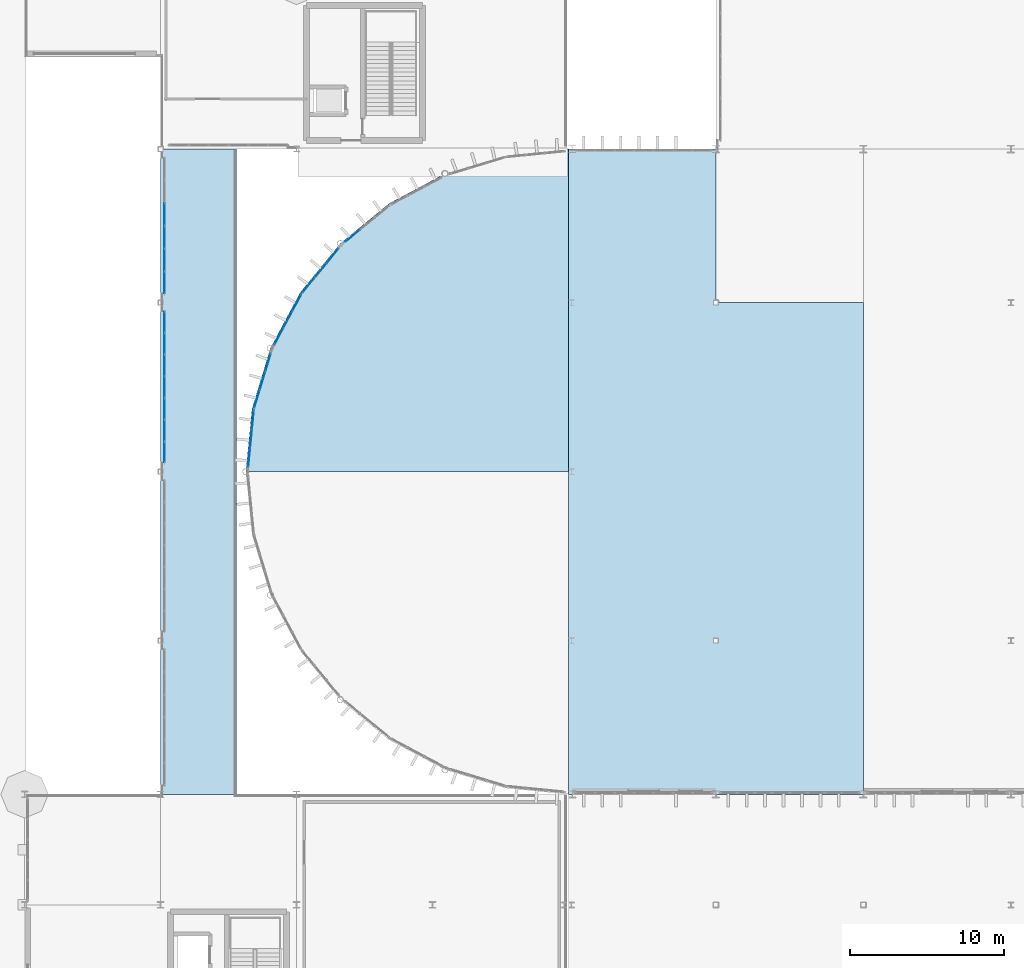
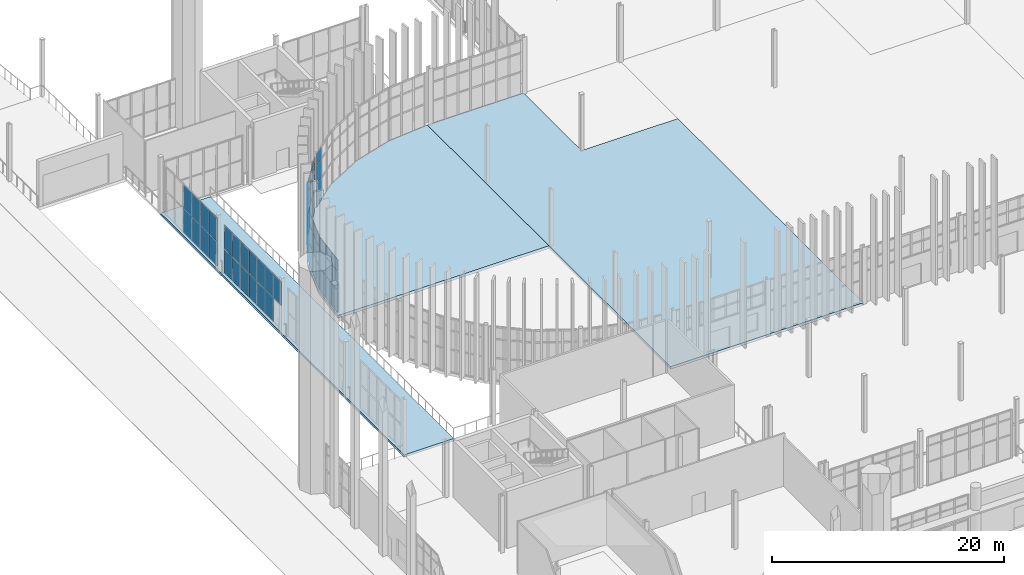
# One storey, part 76 of 139: 60 plates, 3 slabs, 7 elements without a shape of their own.
"""IFC4 building model written with IfcOpenShell, lengths in metres."""

from ifc_helpers import new_model, si_unit, direction, frame, origin, origin_2d, place, context, subcontext, project, spatial, polyline, rectangle, outline, extrude, material, layer, layer_set, type_object, element, aggregate, save


model = new_model("IFC4")

# Units and contexts
model_context = context("Model", 3, precision=1e-05, world=origin(), true_north=direction((0.0, 1.0)))
body_context = subcontext(model_context, "Body", "Model", "MODEL_VIEW")
ifc_project = project(units=[si_unit("LENGTHUNIT", "METRE"), si_unit("AREAUNIT", "SQUARE_METRE"), si_unit("VOLUMEUNIT", "CUBIC_METRE"), si_unit("PLANEANGLEUNIT", "RADIAN"), si_unit("MASSUNIT", "GRAM", prefix="KILO")], contexts=[model_context])

# Site, building, storey
site_placement = place(None, origin())
site = spatial("IfcSite", under=ifc_project, at=site_placement, CompositionType="ELEMENT")
building_placement = place(site_placement, origin())
building = spatial("IfcBuilding", under=site, at=building_placement, Name="Yeouljin Market Hall", CompositionType="ELEMENT")
storey_placement = place(building_placement, origin())
storey = spatial("IfcBuildingStorey", under=building, at=storey_placement, Name="L00", CompositionType="ELEMENT", Elevation=0.0)

# Curtain wall, plates
ifc_material_1 = material(Name="Thermally Broken Aluminium", Category="aluminium")
ifc_layer_1 = layer(ifc_material_1, 0.179931640625)
ifc_layer_set_1 = layer_set([ifc_layer_1], Name="Thermally Broken Aluminium")
curtain_wall_type_1 = type_object("IfcCurtainWallType", Name="CW_ApseCurved_System", PredefinedType="USERDEFINED", material=ifc_layer_set_1)
curtain_wall_1_placement = place(storey_placement, origin())
curtain_wall_1 = element("IfcCurtainWall", 1, at=curtain_wall_1_placement, inside=storey, type_object=curtain_wall_type_1, Name="Curtain wall CW-AP-WL00-09", ObjectType="CURTAIN WALL", PredefinedType="USERDEFINED")
ifc_material_2 = material(Name="Low-E Insulated Glass", Category="glass")
ifc_layer_2 = layer(ifc_material_2, 0.031982421875)
ifc_layer_set_2 = layer_set([ifc_layer_2], Name="Low-E Insulated Glass")
plate_type_1 = type_object("IfcPlateType", Name="CWPanel_AcousticGlass_32", PredefinedType="CURTAIN_PANEL", material=ifc_layer_set_2)
plate_1_placement = place(storey_placement, frame((14.610107421875, 57.91650390625, 0.0478515625), z_axis=(0.0, 0.0, 1.0), x_axis=(0.09803414403, 0.995183051807, 0.0)))
plate_1 = element("IfcPlate", 2, at=plate_1_placement, type_object=plate_type_1, Name="CW-03 panel 1.1", PredefinedType="CURTAIN_PANEL", context=body_context, shape_type="SweptSolid", body=[
    extrude(rectangle(XDim=1.185791015625, YDim=0.031982421875, at=origin_2d()), origin(), (0.0, 0.0, 1.0), 2.327880859375),
])
plate_2_placement = place(storey_placement, frame((14.610107421875, 57.91650390625, 2.423828125), z_axis=(0.0, 0.0, 1.0), x_axis=(0.09803414403, 0.995183051807, 0.0)))
plate_2 = element("IfcPlate", 3, at=plate_2_placement, type_object=plate_type_1, Name="CW-03 panel 1.2", PredefinedType="CURTAIN_PANEL", context=body_context, shape_type="SweptSolid", body=[
    extrude(rectangle(XDim=1.185791015625, YDim=0.031982421875, at=origin_2d()), origin(), (0.0, 0.0, 1.0), 1.951904296875),
])
plate_3_placement = place(storey_placement, frame((14.610107421875, 57.91650390625, 4.424072265625), z_axis=(0.0, 0.0, 1.0), x_axis=(0.09803414403, 0.995183051807, 0.0)))
plate_3 = element("IfcPlate", 4, at=plate_3_placement, type_object=plate_type_1, Name="CW-03 panel 1.3", PredefinedType="CURTAIN_PANEL", context=body_context, shape_type="SweptSolid", body=[
    extrude(rectangle(XDim=1.185791015625, YDim=0.031982421875, at=origin_2d()), origin(), (0.0, 0.0, 1.0), 1.2080078125),
])
plate_4_placement = place(storey_placement, frame((14.732421875, 59.15625, 0.0478515625), z_axis=(0.0, 0.0, 1.0), x_axis=(0.09803414403, 0.995183051807, 0.0)))
plate_4 = element("IfcPlate", 5, at=plate_4_placement, type_object=plate_type_1, Name="CW-03 panel 2.1", PredefinedType="CURTAIN_PANEL", context=body_context, shape_type="SweptSolid", body=[
    extrude(rectangle(XDim=1.209716796875, YDim=0.031982421875, at=origin_2d()), origin(), (0.0, 0.0, 1.0), 2.327880859375),
])
plate_5_placement = place(storey_placement, frame((14.732421875, 59.15625, 2.423828125), z_axis=(0.0, 0.0, 1.0), x_axis=(0.09803414403, 0.995183051807, 0.0)))
plate_5 = element("IfcPlate", 6, at=plate_5_placement, type_object=plate_type_1, Name="CW-03 panel 2.2", PredefinedType="CURTAIN_PANEL", context=body_context, shape_type="SweptSolid", body=[
    extrude(rectangle(XDim=1.209716796875, YDim=0.031982421875, at=origin_2d()), origin(), (0.0, 0.0, 1.0), 1.951904296875),
])
plate_6_placement = place(storey_placement, frame((14.732421875, 59.15625, 4.424072265625), z_axis=(0.0, 0.0, 1.0), x_axis=(0.09803414403, 0.995183051807, 0.0)))
plate_6 = element("IfcPlate", 7, at=plate_6_placement, type_object=plate_type_1, Name="CW-03 panel 2.3", PredefinedType="CURTAIN_PANEL", context=body_context, shape_type="SweptSolid", body=[
    extrude(rectangle(XDim=1.209716796875, YDim=0.031982421875, at=origin_2d()), origin(), (0.0, 0.0, 1.0), 1.2080078125),
])
plate_7_placement = place(storey_placement, frame((14.8544921875, 60.39599609375, 0.0478515625), z_axis=(0.0, 0.0, 1.0), x_axis=(0.09803414403, 0.995183051807, 0.0)))
plate_7 = element("IfcPlate", 8, at=plate_7_placement, type_object=plate_type_1, Name="CW-03 panel 3.1", PredefinedType="CURTAIN_PANEL", context=body_context, shape_type="SweptSolid", body=[
    extrude(rectangle(XDim=1.185791015625, YDim=0.031982421875, at=origin_2d()), origin(), (0.0, 0.0, 1.0), 2.327880859375),
])
plate_8_placement = place(storey_placement, frame((14.8544921875, 60.39599609375, 2.423828125), z_axis=(0.0, 0.0, 1.0), x_axis=(0.09803414403, 0.995183051807, 0.0)))
plate_8 = element("IfcPlate", 9, at=plate_8_placement, type_object=plate_type_1, Name="CW-03 panel 3.2", PredefinedType="CURTAIN_PANEL", context=body_context, shape_type="SweptSolid", body=[
    extrude(rectangle(XDim=1.185791015625, YDim=0.031982421875, at=origin_2d()), origin(), (0.0, 0.0, 1.0), 1.951904296875),
])
plate_9_placement = place(storey_placement, frame((14.8544921875, 60.39599609375, 4.424072265625), z_axis=(0.0, 0.0, 1.0), x_axis=(0.09803414403, 0.995183051807, 0.0)))
plate_9 = element("IfcPlate", 10, at=plate_9_placement, type_object=plate_type_1, Name="CW-03 panel 3.3", PredefinedType="CURTAIN_PANEL", context=body_context, shape_type="SweptSolid", body=[
    extrude(rectangle(XDim=1.185791015625, YDim=0.031982421875, at=origin_2d()), origin(), (0.0, 0.0, 1.0), 1.2080078125),
])
aggregate(curtain_wall_1, [plate_1, plate_2, plate_3, plate_4, plate_5, plate_6, plate_7, plate_8, plate_9])

curtain_wall_2_placement = place(storey_placement, origin())
curtain_wall_2 = element("IfcCurtainWall", 11, at=curtain_wall_2_placement, inside=storey, type_object=curtain_wall_type_1, Name="Curtain wall CW-AP-WL00-10", ObjectType="CURTAIN WALL", PredefinedType="USERDEFINED")
plate_10_placement = place(storey_placement, frame((15.118896484375, 61.72509765625, 0.0478515625), z_axis=(0.0, 0.0, 1.0), x_axis=(0.290286164863, 0.95693988447, 0.0)))
plate_10 = element("IfcPlate", 12, at=plate_10_placement, type_object=plate_type_1, Name="CW-03 panel 1.1", PredefinedType="CURTAIN_PANEL", context=body_context, shape_type="SweptSolid", body=[
    extrude(rectangle(XDim=1.185791015625, YDim=0.031982421875, at=origin_2d()), origin(), (0.0, 0.0, 1.0), 2.327880859375),
])
plate_11_placement = place(storey_placement, frame((15.118896484375, 61.72509765625, 2.423828125), z_axis=(0.0, 0.0, 1.0), x_axis=(0.290286164863, 0.95693988447, 0.0)))
plate_11 = element("IfcPlate", 13, at=plate_11_placement, type_object=plate_type_1, Name="CW-03 panel 1.2", PredefinedType="CURTAIN_PANEL", context=body_context, shape_type="SweptSolid", body=[
    extrude(rectangle(XDim=1.185791015625, YDim=0.031982421875, at=origin_2d()), origin(), (0.0, 0.0, 1.0), 1.951904296875),
])
plate_12_placement = place(storey_placement, frame((15.118896484375, 61.72509765625, 4.424072265625), z_axis=(0.0, 0.0, 1.0), x_axis=(0.290286164863, 0.95693988447, 0.0)))
plate_12 = element("IfcPlate", 14, at=plate_12_placement, type_object=plate_type_1, Name="CW-03 panel 1.3", PredefinedType="CURTAIN_PANEL", context=body_context, shape_type="SweptSolid", body=[
    extrude(rectangle(XDim=1.185791015625, YDim=0.031982421875, at=origin_2d()), origin(), (0.0, 0.0, 1.0), 1.2080078125),
])
plate_13_placement = place(storey_placement, frame((15.48046875, 62.917236328125, 0.0478515625), z_axis=(0.0, 0.0, 1.0), x_axis=(0.290286164863, 0.95693988447, 0.0)))
plate_13 = element("IfcPlate", 15, at=plate_13_placement, type_object=plate_type_1, Name="CW-03 panel 2.1", PredefinedType="CURTAIN_PANEL", context=body_context, shape_type="SweptSolid", body=[
    extrude(rectangle(XDim=1.209716796875, YDim=0.031982421875, at=origin_2d()), origin(), (0.0, 0.0, 1.0), 2.327880859375),
])
plate_14_placement = place(storey_placement, frame((15.48046875, 62.917236328125, 2.423828125), z_axis=(0.0, 0.0, 1.0), x_axis=(0.290286164863, 0.95693988447, 0.0)))
plate_14 = element("IfcPlate", 16, at=plate_14_placement, type_object=plate_type_1, Name="CW-03 panel 2.2", PredefinedType="CURTAIN_PANEL", context=body_context, shape_type="SweptSolid", body=[
    extrude(rectangle(XDim=1.209716796875, YDim=0.031982421875, at=origin_2d()), origin(), (0.0, 0.0, 1.0), 1.951904296875),
])
plate_15_placement = place(storey_placement, frame((15.48046875, 62.917236328125, 4.424072265625), z_axis=(0.0, 0.0, 1.0), x_axis=(0.290286164863, 0.95693988447, 0.0)))
plate_15 = element("IfcPlate", 17, at=plate_15_placement, type_object=plate_type_1, Name="CW-03 panel 2.3", PredefinedType="CURTAIN_PANEL", context=body_context, shape_type="SweptSolid", body=[
    extrude(rectangle(XDim=1.209716796875, YDim=0.031982421875, at=origin_2d()), origin(), (0.0, 0.0, 1.0), 1.2080078125),
])
plate_16_placement = place(storey_placement, frame((15.842041015625, 64.109130859375, 0.0478515625), z_axis=(0.0, 0.0, 1.0), x_axis=(0.290286164863, 0.95693988447, 0.0)))
plate_16 = element("IfcPlate", 18, at=plate_16_placement, type_object=plate_type_1, Name="CW-03 panel 3.1", PredefinedType="CURTAIN_PANEL", context=body_context, shape_type="SweptSolid", body=[
    extrude(rectangle(XDim=1.185791015625, YDim=0.031982421875, at=origin_2d()), origin(), (0.0, 0.0, 1.0), 2.327880859375),
])
plate_17_placement = place(storey_placement, frame((15.842041015625, 64.109130859375, 2.423828125), z_axis=(0.0, 0.0, 1.0), x_axis=(0.290286164863, 0.95693988447, 0.0)))
plate_17 = element("IfcPlate", 19, at=plate_17_placement, type_object=plate_type_1, Name="CW-03 panel 3.2", PredefinedType="CURTAIN_PANEL", context=body_context, shape_type="SweptSolid", body=[
    extrude(rectangle(XDim=1.185791015625, YDim=0.031982421875, at=origin_2d()), origin(), (0.0, 0.0, 1.0), 1.951904296875),
])
plate_18_placement = place(storey_placement, frame((15.842041015625, 64.109130859375, 4.424072265625), z_axis=(0.0, 0.0, 1.0), x_axis=(0.290286164863, 0.95693988447, 0.0)))
plate_18 = element("IfcPlate", 20, at=plate_18_placement, type_object=plate_type_1, Name="CW-03 panel 3.3", PredefinedType="CURTAIN_PANEL", context=body_context, shape_type="SweptSolid", body=[
    extrude(rectangle(XDim=1.185791015625, YDim=0.031982421875, at=origin_2d()), origin(), (0.0, 0.0, 1.0), 1.2080078125),
])
aggregate(curtain_wall_2, [plate_10, plate_11, plate_12, plate_13, plate_14, plate_15, plate_16, plate_17, plate_18])

curtain_wall_3_placement = place(storey_placement, origin())
curtain_wall_3 = element("IfcCurtainWall", 21, at=curtain_wall_3_placement, inside=storey, type_object=curtain_wall_type_1, Name="Curtain wall CW-AP-WL00-11", ObjectType="CURTAIN WALL", PredefinedType="USERDEFINED")
plate_19_placement = place(storey_placement, frame((16.54345703125, 65.802490234375, 0.0478515625), z_axis=(0.0, 0.0, 1.0), x_axis=(0.471377626598, 0.881931478712, 0.0)))
plate_19 = element("IfcPlate", 22, at=plate_19_placement, type_object=plate_type_1, Name="CW-03 panel 1.1", PredefinedType="CURTAIN_PANEL", context=body_context, shape_type="SweptSolid", body=[
    extrude(rectangle(XDim=1.185791015625, YDim=0.031982421875, at=origin_2d()), origin(), (0.0, 0.0, 1.0), 2.327880859375),
])
plate_20_placement = place(storey_placement, frame((16.54345703125, 65.802490234375, 2.423828125), z_axis=(0.0, 0.0, 1.0), x_axis=(0.471377626598, 0.881931478712, 0.0)))
plate_20 = element("IfcPlate", 23, at=plate_20_placement, type_object=plate_type_1, Name="CW-03 panel 1.2", PredefinedType="CURTAIN_PANEL", context=body_context, shape_type="SweptSolid", body=[
    extrude(rectangle(XDim=1.185791015625, YDim=0.031982421875, at=origin_2d()), origin(), (0.0, 0.0, 1.0), 1.951904296875),
])
plate_21_placement = place(storey_placement, frame((16.54345703125, 65.802490234375, 4.424072265625), z_axis=(0.0, 0.0, 1.0), x_axis=(0.471377626598, 0.881931478712, 0.0)))
plate_21 = element("IfcPlate", 24, at=plate_21_placement, type_object=plate_type_1, Name="CW-03 panel 1.3", PredefinedType="CURTAIN_PANEL", context=body_context, shape_type="SweptSolid", body=[
    extrude(rectangle(XDim=1.185791015625, YDim=0.031982421875, at=origin_2d()), origin(), (0.0, 0.0, 1.0), 1.2080078125),
])
plate_22_placement = place(storey_placement, frame((17.130615234375, 66.901123046875, 0.0478515625), z_axis=(0.0, 0.0, 1.0), x_axis=(0.471377626598, 0.881931478712, 0.0)))
plate_22 = element("IfcPlate", 25, at=plate_22_placement, type_object=plate_type_1, Name="CW-03 panel 2.1", PredefinedType="CURTAIN_PANEL", context=body_context, shape_type="SweptSolid", body=[
    extrude(rectangle(XDim=1.209716796875, YDim=0.031982421875, at=origin_2d()), origin(), (0.0, 0.0, 1.0), 2.327880859375),
])
plate_23_placement = place(storey_placement, frame((17.130615234375, 66.901123046875, 2.423828125), z_axis=(0.0, 0.0, 1.0), x_axis=(0.471377626598, 0.881931478712, 0.0)))
plate_23 = element("IfcPlate", 26, at=plate_23_placement, type_object=plate_type_1, Name="CW-03 panel 2.2", PredefinedType="CURTAIN_PANEL", context=body_context, shape_type="SweptSolid", body=[
    extrude(rectangle(XDim=1.209716796875, YDim=0.031982421875, at=origin_2d()), origin(), (0.0, 0.0, 1.0), 1.951904296875),
])
plate_24_placement = place(storey_placement, frame((17.130615234375, 66.901123046875, 4.424072265625), z_axis=(0.0, 0.0, 1.0), x_axis=(0.471377626598, 0.881931478712, 0.0)))
plate_24 = element("IfcPlate", 27, at=plate_24_placement, type_object=plate_type_1, Name="CW-03 panel 2.3", PredefinedType="CURTAIN_PANEL", context=body_context, shape_type="SweptSolid", body=[
    extrude(rectangle(XDim=1.209716796875, YDim=0.031982421875, at=origin_2d()), origin(), (0.0, 0.0, 1.0), 1.2080078125),
])
plate_25_placement = place(storey_placement, frame((17.718017578125, 67.999755859375, 0.0478515625), z_axis=(0.0, 0.0, 1.0), x_axis=(0.471377626598, 0.881931478712, 0.0)))
plate_25 = element("IfcPlate", 28, at=plate_25_placement, type_object=plate_type_1, Name="CW-03 panel 3.1", PredefinedType="CURTAIN_PANEL", context=body_context, shape_type="SweptSolid", body=[
    extrude(rectangle(XDim=1.185791015625, YDim=0.031982421875, at=origin_2d()), origin(), (0.0, 0.0, 1.0), 2.327880859375),
])
plate_26_placement = place(storey_placement, frame((17.718017578125, 67.999755859375, 2.423828125), z_axis=(0.0, 0.0, 1.0), x_axis=(0.471377626598, 0.881931478712, 0.0)))
plate_26 = element("IfcPlate", 29, at=plate_26_placement, type_object=plate_type_1, Name="CW-03 panel 3.2", PredefinedType="CURTAIN_PANEL", context=body_context, shape_type="SweptSolid", body=[
    extrude(rectangle(XDim=1.185791015625, YDim=0.031982421875, at=origin_2d()), origin(), (0.0, 0.0, 1.0), 1.951904296875),
])
plate_27_placement = place(storey_placement, frame((17.718017578125, 67.999755859375, 4.424072265625), z_axis=(0.0, 0.0, 1.0), x_axis=(0.471377626598, 0.881931478712, 0.0)))
plate_27 = element("IfcPlate", 30, at=plate_27_placement, type_object=plate_type_1, Name="CW-03 panel 3.3", PredefinedType="CURTAIN_PANEL", context=body_context, shape_type="SweptSolid", body=[
    extrude(rectangle(XDim=1.185791015625, YDim=0.031982421875, at=origin_2d()), origin(), (0.0, 0.0, 1.0), 1.2080078125),
])
aggregate(curtain_wall_3, [plate_19, plate_20, plate_21, plate_22, plate_23, plate_24, plate_25, plate_26, plate_27])

curtain_wall_4_placement = place(storey_placement, origin())
curtain_wall_4 = element("IfcCurtainWall", 31, at=curtain_wall_4_placement, inside=storey, type_object=curtain_wall_type_1, Name="Curtain wall CW-AP-WL00-12", ObjectType="CURTAIN WALL", PredefinedType="USERDEFINED")
plate_28_placement = place(storey_placement, frame((18.470947265625, 69.126708984375, 0.0478515625), z_axis=(0.0, 0.0, 1.0), x_axis=(0.634384432096, 0.773017717982, 0.0)))
plate_28 = element("IfcPlate", 32, at=plate_28_placement, type_object=plate_type_1, Name="CW-03 panel 1.1", PredefinedType="CURTAIN_PANEL", context=body_context, shape_type="SweptSolid", body=[
    extrude(rectangle(XDim=1.185791015625, YDim=0.031982421875, at=origin_2d()), origin(), (0.0, 0.0, 1.0), 2.327880859375),
])
plate_29_placement = place(storey_placement, frame((18.470947265625, 69.126708984375, 2.423828125), z_axis=(0.0, 0.0, 1.0), x_axis=(0.634384432096, 0.773017717982, 0.0)))
plate_29 = element("IfcPlate", 33, at=plate_29_placement, type_object=plate_type_1, Name="CW-03 panel 1.2", PredefinedType="CURTAIN_PANEL", context=body_context, shape_type="SweptSolid", body=[
    extrude(rectangle(XDim=1.185791015625, YDim=0.031982421875, at=origin_2d()), origin(), (0.0, 0.0, 1.0), 1.951904296875),
])
plate_30_placement = place(storey_placement, frame((18.470947265625, 69.126708984375, 4.424072265625), z_axis=(0.0, 0.0, 1.0), x_axis=(0.634384432096, 0.773017717982, 0.0)))
plate_30 = element("IfcPlate", 34, at=plate_30_placement, type_object=plate_type_1, Name="CW-03 panel 1.3", PredefinedType="CURTAIN_PANEL", context=body_context, shape_type="SweptSolid", body=[
    extrude(rectangle(XDim=1.185791015625, YDim=0.031982421875, at=origin_2d()), origin(), (0.0, 0.0, 1.0), 1.2080078125),
])
plate_31_placement = place(storey_placement, frame((19.26123046875, 70.089599609375, 0.0478515625), z_axis=(0.0, 0.0, 1.0), x_axis=(0.634384432096, 0.773017717982, 0.0)))
plate_31 = element("IfcPlate", 35, at=plate_31_placement, type_object=plate_type_1, Name="CW-03 panel 2.1", PredefinedType="CURTAIN_PANEL", context=body_context, shape_type="SweptSolid", body=[
    extrude(rectangle(XDim=1.209716796875, YDim=0.031982421875, at=origin_2d()), origin(), (0.0, 0.0, 1.0), 2.327880859375),
])
plate_32_placement = place(storey_placement, frame((19.26123046875, 70.089599609375, 2.423828125), z_axis=(0.0, 0.0, 1.0), x_axis=(0.634384432096, 0.773017717982, 0.0)))
plate_32 = element("IfcPlate", 36, at=plate_32_placement, type_object=plate_type_1, Name="CW-03 panel 2.2", PredefinedType="CURTAIN_PANEL", context=body_context, shape_type="SweptSolid", body=[
    extrude(rectangle(XDim=1.209716796875, YDim=0.031982421875, at=origin_2d()), origin(), (0.0, 0.0, 1.0), 1.951904296875),
])
plate_33_placement = place(storey_placement, frame((19.26123046875, 70.089599609375, 4.424072265625), z_axis=(0.0, 0.0, 1.0), x_axis=(0.634384432096, 0.773017717982, 0.0)))
plate_33 = element("IfcPlate", 37, at=plate_33_placement, type_object=plate_type_1, Name="CW-03 panel 2.3", PredefinedType="CURTAIN_PANEL", context=body_context, shape_type="SweptSolid", body=[
    extrude(rectangle(XDim=1.209716796875, YDim=0.031982421875, at=origin_2d()), origin(), (0.0, 0.0, 1.0), 1.2080078125),
])
plate_34_placement = place(storey_placement, frame((20.051513671875, 71.052490234375, 0.0478515625), z_axis=(0.0, 0.0, 1.0), x_axis=(0.634384432096, 0.773017717982, 0.0)))
plate_34 = element("IfcPlate", 38, at=plate_34_placement, type_object=plate_type_1, Name="CW-03 panel 3.1", PredefinedType="CURTAIN_PANEL", context=body_context, shape_type="SweptSolid", body=[
    extrude(rectangle(XDim=1.185791015625, YDim=0.031982421875, at=origin_2d()), origin(), (0.0, 0.0, 1.0), 2.327880859375),
])
plate_35_placement = place(storey_placement, frame((20.051513671875, 71.052490234375, 2.423828125), z_axis=(0.0, 0.0, 1.0), x_axis=(0.634384432096, 0.773017717982, 0.0)))
plate_35 = element("IfcPlate", 39, at=plate_35_placement, type_object=plate_type_1, Name="CW-03 panel 3.2", PredefinedType="CURTAIN_PANEL", context=body_context, shape_type="SweptSolid", body=[
    extrude(rectangle(XDim=1.185791015625, YDim=0.031982421875, at=origin_2d()), origin(), (0.0, 0.0, 1.0), 1.951904296875),
])
plate_36_placement = place(storey_placement, frame((20.051513671875, 71.052490234375, 4.424072265625), z_axis=(0.0, 0.0, 1.0), x_axis=(0.634384432096, 0.773017717982, 0.0)))
plate_36 = element("IfcPlate", 40, at=plate_36_placement, type_object=plate_type_1, Name="CW-03 panel 3.3", PredefinedType="CURTAIN_PANEL", context=body_context, shape_type="SweptSolid", body=[
    extrude(rectangle(XDim=1.185791015625, YDim=0.031982421875, at=origin_2d()), origin(), (0.0, 0.0, 1.0), 1.2080078125),
])
aggregate(curtain_wall_4, [plate_28, plate_29, plate_30, plate_31, plate_32, plate_33, plate_34, plate_35, plate_36])

curtain_wall_5_placement = place(storey_placement, origin())
curtain_wall_5 = element("IfcCurtainWall", 41, at=curtain_wall_5_placement, inside=storey, type_object=curtain_wall_type_1, Name="Curtain wall CW-AP-WL00-13", ObjectType="CURTAIN WALL", PredefinedType="USERDEFINED")
plate_37_placement = place(storey_placement, frame((21.347412109375, 72.3486328125, 0.0478515625), z_axis=(0.0, 0.0, 1.0), x_axis=(0.773017717982, 0.634384432096, 0.0)))
plate_37 = element("IfcPlate", 42, at=plate_37_placement, type_object=plate_type_1, Name="CW-03 panel 1.1", PredefinedType="CURTAIN_PANEL", context=body_context, shape_type="SweptSolid", body=[
    extrude(rectangle(XDim=1.185791015625, YDim=0.031982421875, at=origin_2d()), origin(), (0.0, 0.0, 1.0), 2.327880859375),
])
plate_38_placement = place(storey_placement, frame((21.347412109375, 72.3486328125, 2.423828125), z_axis=(0.0, 0.0, 1.0), x_axis=(0.773017717982, 0.634384432096, 0.0)))
plate_38 = element("IfcPlate", 43, at=plate_38_placement, type_object=plate_type_1, Name="CW-03 panel 1.2", PredefinedType="CURTAIN_PANEL", context=body_context, shape_type="SweptSolid", body=[
    extrude(rectangle(XDim=1.185791015625, YDim=0.031982421875, at=origin_2d()), origin(), (0.0, 0.0, 1.0), 1.951904296875),
])
plate_39_placement = place(storey_placement, frame((21.347412109375, 72.3486328125, 4.424072265625), z_axis=(0.0, 0.0, 1.0), x_axis=(0.773017717982, 0.634384432096, 0.0)))
plate_39 = element("IfcPlate", 44, at=plate_39_placement, type_object=plate_type_1, Name="CW-03 panel 1.3", PredefinedType="CURTAIN_PANEL", context=body_context, shape_type="SweptSolid", body=[
    extrude(rectangle(XDim=1.185791015625, YDim=0.031982421875, at=origin_2d()), origin(), (0.0, 0.0, 1.0), 1.2080078125),
])
aggregate(curtain_wall_5, [plate_37, plate_38, plate_39])

ifc_material_3 = material(Name="Thermally Broken Aluminium", Category="aluminium")
ifc_layer_3 = layer(ifc_material_3, 0.14990234375)
ifc_layer_set_3 = layer_set([ifc_layer_3], Name="Thermally Broken Aluminium")
curtain_wall_type_2 = type_object("IfcCurtainWallType", Name="CW_WingStorefront_System", PredefinedType="USERDEFINED", material=ifc_layer_set_3)
curtain_wall_6_placement = place(storey_placement, origin())
curtain_wall_6 = element("IfcCurtainWall", 45, at=curtain_wall_6_placement, inside=storey, type_object=curtain_wall_type_2, Name="Curtain wall CW-CRT-L00-07", ObjectType="CURTAIN WALL", PredefinedType="USERDEFINED")
ifc_material_4 = material(Name="Low-E Insulated Glass", Category="glass")
ifc_layer_4 = layer(ifc_material_4, 0.028076171875)
ifc_layer_set_4 = layer_set([ifc_layer_4], Name="Low-E Insulated Glass")
plate_type_2 = type_object("IfcPlateType", Name="CWPanel_LowE_28", PredefinedType="CURTAIN_PANEL", material=ifc_layer_set_4)
plate_40_placement = place(storey_placement, frame((9.10009765625, 58.26904296875, 2.583984375), z_axis=(0.0, 0.0, 1.0), x_axis=(0.0, 1.0, 0.0)))
plate_40 = element("IfcPlate", 46, at=plate_40_placement, type_object=plate_type_2, Name="CW-04 panel 1.2", PredefinedType="CURTAIN_PANEL", context=body_context, shape_type="SweptSolid", body=[
    extrude(rectangle(XDim=1.34228515625, YDim=0.028076171875, at=origin_2d()), origin(), (0.0, 0.0, 1.0), 2.488037109375),
])
plate_41_placement = place(storey_placement, frame((9.10009765625, 59.67138671875, 0.0478515625), z_axis=(0.0, 0.0, 1.0), x_axis=(0.0, 1.0, 0.0)))
plate_41 = element("IfcPlate", 47, at=plate_41_placement, type_object=plate_type_2, Name="CW-04 panel 2.1", PredefinedType="CURTAIN_PANEL", context=body_context, shape_type="SweptSolid", body=[
    extrude(rectangle(XDim=1.3662109375, YDim=0.028076171875, at=origin_2d()), origin(), (0.0, 0.0, 1.0), 2.488037109375),
])
plate_42_placement = place(storey_placement, frame((9.10009765625, 59.67138671875, 2.583984375), z_axis=(0.0, 0.0, 1.0), x_axis=(0.0, 1.0, 0.0)))
plate_42 = element("IfcPlate", 48, at=plate_42_placement, type_object=plate_type_2, Name="CW-04 panel 2.2", PredefinedType="CURTAIN_PANEL", context=body_context, shape_type="SweptSolid", body=[
    extrude(rectangle(XDim=1.3662109375, YDim=0.028076171875, at=origin_2d()), origin(), (0.0, 0.0, 1.0), 2.488037109375),
])
plate_43_placement = place(storey_placement, frame((9.10009765625, 61.085693359375, 0.0478515625), z_axis=(0.0, 0.0, 1.0), x_axis=(0.0, 1.0, 0.0)))
plate_43 = element("IfcPlate", 49, at=plate_43_placement, type_object=plate_type_2, Name="CW-04 panel 3.1", PredefinedType="CURTAIN_PANEL", context=body_context, shape_type="SweptSolid", body=[
    extrude(rectangle(XDim=1.3662109375, YDim=0.028076171875, at=origin_2d()), origin(), (0.0, 0.0, 1.0), 2.488037109375),
])
plate_44_placement = place(storey_placement, frame((9.10009765625, 61.085693359375, 2.583984375), z_axis=(0.0, 0.0, 1.0), x_axis=(0.0, 1.0, 0.0)))
plate_44 = element("IfcPlate", 50, at=plate_44_placement, type_object=plate_type_2, Name="CW-04 panel 3.2", PredefinedType="CURTAIN_PANEL", context=body_context, shape_type="SweptSolid", body=[
    extrude(rectangle(XDim=1.3662109375, YDim=0.028076171875, at=origin_2d()), origin(), (0.0, 0.0, 1.0), 2.488037109375),
])
plate_45_placement = place(storey_placement, frame((9.10009765625, 62.5, 0.0478515625), z_axis=(0.0, 0.0, 1.0), x_axis=(0.0, 1.0, 0.0)))
plate_45 = element("IfcPlate", 51, at=plate_45_placement, type_object=plate_type_2, Name="CW-04 panel 4.1", PredefinedType="CURTAIN_PANEL", context=body_context, shape_type="SweptSolid", body=[
    extrude(rectangle(XDim=1.3662109375, YDim=0.028076171875, at=origin_2d()), origin(), (0.0, 0.0, 1.0), 2.488037109375),
])
plate_46_placement = place(storey_placement, frame((9.10009765625, 62.5, 2.583984375), z_axis=(0.0, 0.0, 1.0), x_axis=(0.0, 1.0, 0.0)))
plate_46 = element("IfcPlate", 52, at=plate_46_placement, type_object=plate_type_2, Name="CW-04 panel 4.2", PredefinedType="CURTAIN_PANEL", context=body_context, shape_type="SweptSolid", body=[
    extrude(rectangle(XDim=1.3662109375, YDim=0.028076171875, at=origin_2d()), origin(), (0.0, 0.0, 1.0), 2.488037109375),
])
plate_47_placement = place(storey_placement, frame((9.10009765625, 63.914306640625, 0.0478515625), z_axis=(0.0, 0.0, 1.0), x_axis=(0.0, 1.0, 0.0)))
plate_47 = element("IfcPlate", 53, at=plate_47_placement, type_object=plate_type_2, Name="CW-04 panel 5.1", PredefinedType="CURTAIN_PANEL", context=body_context, shape_type="SweptSolid", body=[
    extrude(rectangle(XDim=1.3662109375, YDim=0.028076171875, at=origin_2d()), origin(), (0.0, 0.0, 1.0), 2.488037109375),
])
plate_48_placement = place(storey_placement, frame((9.10009765625, 63.914306640625, 2.583984375), z_axis=(0.0, 0.0, 1.0), x_axis=(0.0, 1.0, 0.0)))
plate_48 = element("IfcPlate", 54, at=plate_48_placement, type_object=plate_type_2, Name="CW-04 panel 5.2", PredefinedType="CURTAIN_PANEL", context=body_context, shape_type="SweptSolid", body=[
    extrude(rectangle(XDim=1.3662109375, YDim=0.028076171875, at=origin_2d()), origin(), (0.0, 0.0, 1.0), 2.488037109375),
])
plate_49_placement = place(storey_placement, frame((9.10009765625, 65.32861328125, 0.0478515625), z_axis=(0.0, 0.0, 1.0), x_axis=(0.0, 1.0, 0.0)))
plate_49 = element("IfcPlate", 55, at=plate_49_placement, type_object=plate_type_2, Name="CW-04 panel 6.1", PredefinedType="CURTAIN_PANEL", context=body_context, shape_type="SweptSolid", body=[
    extrude(rectangle(XDim=1.3662109375, YDim=0.028076171875, at=origin_2d()), origin(), (0.0, 0.0, 1.0), 2.488037109375),
])
plate_50_placement = place(storey_placement, frame((9.10009765625, 65.32861328125, 2.583984375), z_axis=(0.0, 0.0, 1.0), x_axis=(0.0, 1.0, 0.0)))
plate_50 = element("IfcPlate", 56, at=plate_50_placement, type_object=plate_type_2, Name="CW-04 panel 6.2", PredefinedType="CURTAIN_PANEL", context=body_context, shape_type="SweptSolid", body=[
    extrude(rectangle(XDim=1.3662109375, YDim=0.028076171875, at=origin_2d()), origin(), (0.0, 0.0, 1.0), 2.488037109375),
])
plate_51_placement = place(storey_placement, frame((9.10009765625, 66.73095703125, 0.0478515625), z_axis=(0.0, 0.0, 1.0), x_axis=(0.0, 1.0, 0.0)))
plate_51 = element("IfcPlate", 57, at=plate_51_placement, type_object=plate_type_2, Name="CW-04 panel 7.1", PredefinedType="CURTAIN_PANEL", context=body_context, shape_type="SweptSolid", body=[
    extrude(rectangle(XDim=1.34228515625, YDim=0.028076171875, at=origin_2d()), origin(), (0.0, 0.0, 1.0), 2.488037109375),
])
plate_52_placement = place(storey_placement, frame((9.10009765625, 66.73095703125, 2.583984375), z_axis=(0.0, 0.0, 1.0), x_axis=(0.0, 1.0, 0.0)))
plate_52 = element("IfcPlate", 58, at=plate_52_placement, type_object=plate_type_2, Name="CW-04 panel 7.2", PredefinedType="CURTAIN_PANEL", context=body_context, shape_type="SweptSolid", body=[
    extrude(rectangle(XDim=1.34228515625, YDim=0.028076171875, at=origin_2d()), origin(), (0.0, 0.0, 1.0), 2.488037109375),
])
aggregate(curtain_wall_6, [plate_40, plate_41, plate_42, plate_43, plate_44, plate_45, plate_46, plate_47, plate_48, plate_49, plate_50, plate_51, plate_52])

curtain_wall_7_placement = place(storey_placement, origin())
curtain_wall_7 = element("IfcCurtainWall", 59, at=curtain_wall_7_placement, inside=storey, type_object=curtain_wall_type_2, Name="Curtain wall CW-CRT-L00-08", ObjectType="CURTAIN WALL", PredefinedType="USERDEFINED")
plate_53_placement = place(storey_placement, frame((9.10009765625, 69.3037109375, 0.0478515625), z_axis=(0.0, 0.0, 1.0), x_axis=(0.0, 1.0, 0.0)))
plate_53 = element("IfcPlate", 60, at=plate_53_placement, type_object=plate_type_2, Name="CW-04 panel 1.1", PredefinedType="CURTAIN_PANEL", context=body_context, shape_type="SweptSolid", body=[
    extrude(rectangle(XDim=1.411376953125, YDim=0.028076171875, at=origin_2d()), origin(), (0.0, 0.0, 1.0), 2.488037109375),
])
plate_54_placement = place(storey_placement, frame((9.10009765625, 69.3037109375, 2.583984375), z_axis=(0.0, 0.0, 1.0), x_axis=(0.0, 1.0, 0.0)))
plate_54 = element("IfcPlate", 61, at=plate_54_placement, type_object=plate_type_2, Name="CW-04 panel 1.2", PredefinedType="CURTAIN_PANEL", context=body_context, shape_type="SweptSolid", body=[
    extrude(rectangle(XDim=1.411376953125, YDim=0.028076171875, at=origin_2d()), origin(), (0.0, 0.0, 1.0), 2.488037109375),
])
plate_55_placement = place(storey_placement, frame((9.10009765625, 70.77490234375, 0.0478515625), z_axis=(0.0, 0.0, 1.0), x_axis=(0.0, 1.0, 0.0)))
plate_55 = element("IfcPlate", 62, at=plate_55_placement, type_object=plate_type_2, Name="CW-04 panel 2.1", PredefinedType="CURTAIN_PANEL", context=body_context, shape_type="SweptSolid", body=[
    extrude(rectangle(XDim=1.435302734375, YDim=0.028076171875, at=origin_2d()), origin(), (0.0, 0.0, 1.0), 2.488037109375),
])
plate_56_placement = place(storey_placement, frame((9.10009765625, 70.77490234375, 2.583984375), z_axis=(0.0, 0.0, 1.0), x_axis=(0.0, 1.0, 0.0)))
plate_56 = element("IfcPlate", 63, at=plate_56_placement, type_object=plate_type_2, Name="CW-04 panel 2.2", PredefinedType="CURTAIN_PANEL", context=body_context, shape_type="SweptSolid", body=[
    extrude(rectangle(XDim=1.435302734375, YDim=0.028076171875, at=origin_2d()), origin(), (0.0, 0.0, 1.0), 2.488037109375),
])
plate_57_placement = place(storey_placement, frame((9.10009765625, 72.25830078125, 0.0478515625), z_axis=(0.0, 0.0, 1.0), x_axis=(0.0, 1.0, 0.0)))
plate_57 = element("IfcPlate", 64, at=plate_57_placement, type_object=plate_type_2, Name="CW-04 panel 3.1", PredefinedType="CURTAIN_PANEL", context=body_context, shape_type="SweptSolid", body=[
    extrude(rectangle(XDim=1.435302734375, YDim=0.028076171875, at=origin_2d()), origin(), (0.0, 0.0, 1.0), 2.488037109375),
])
plate_58_placement = place(storey_placement, frame((9.10009765625, 72.25830078125, 2.583984375), z_axis=(0.0, 0.0, 1.0), x_axis=(0.0, 1.0, 0.0)))
plate_58 = element("IfcPlate", 65, at=plate_58_placement, type_object=plate_type_2, Name="CW-04 panel 3.2", PredefinedType="CURTAIN_PANEL", context=body_context, shape_type="SweptSolid", body=[
    extrude(rectangle(XDim=1.435302734375, YDim=0.028076171875, at=origin_2d()), origin(), (0.0, 0.0, 1.0), 2.488037109375),
])
plate_59_placement = place(storey_placement, frame((9.10009765625, 73.74169921875, 0.0478515625), z_axis=(0.0, 0.0, 1.0), x_axis=(0.0, 1.0, 0.0)))
plate_59 = element("IfcPlate", 66, at=plate_59_placement, type_object=plate_type_2, Name="CW-04 panel 4.1", PredefinedType="CURTAIN_PANEL", context=body_context, shape_type="SweptSolid", body=[
    extrude(rectangle(XDim=1.435302734375, YDim=0.028076171875, at=origin_2d()), origin(), (0.0, 0.0, 1.0), 2.488037109375),
])
plate_60_placement = place(storey_placement, frame((9.10009765625, 73.74169921875, 2.583984375), z_axis=(0.0, 0.0, 1.0), x_axis=(0.0, 1.0, 0.0)))
plate_60 = element("IfcPlate", 67, at=plate_60_placement, type_object=plate_type_2, Name="CW-04 panel 4.2", PredefinedType="CURTAIN_PANEL", context=body_context, shape_type="SweptSolid", body=[
    extrude(rectangle(XDim=1.435302734375, YDim=0.028076171875, at=origin_2d()), origin(), (0.0, 0.0, 1.0), 2.488037109375),
])
aggregate(curtain_wall_7, [plate_53, plate_54, plate_55, plate_56, plate_57, plate_58, plate_59, plate_60])

# Slabs
ifc_material_5 = material(Name="Concrete C35/45", Category="concrete")
ifc_layer_5 = layer(ifc_material_5, 0.300048828125)
ifc_layer_set_5 = layer_set([ifc_layer_5], Name="Concrete C35/45")
slab_type_1 = type_object("IfcSlabType", Name="SLB_APSE_300", PredefinedType="FLOOR", material=ifc_layer_set_5)
slab_1_placement = place(storey_placement, frame((0.0, 0.0, -0.300048828125)))
element("IfcSlab", 68, at=slab_1_placement, inside=storey, type_object=slab_type_1, Name="Structural slab SLB-L00-AWN", PredefinedType="FLOOR", context=body_context, shape_type="SweptSolid", body=[
    extrude(outline(polyline([(35.39990234375, 57.0), (35.39990234375, 78.0), (31.302978515625, 77.596435546875), (27.363525390625, 76.401611328125), (23.73291015625, 74.4609375), (20.55078125, 71.84912109375), (17.939208984375, 68.6669921875), (15.99853515625, 65.036376953125), (14.803466796875, 61.096923828125), (14.39990234375, 57.0), (35.39990234375, 57.0)])), origin(), (0.0, 0.0, 1.0), 0.300048828125),
])
ifc_material_6 = material(Name="Concrete C35/45", Category="concrete")
ifc_layer_6 = layer(ifc_material_6, 0.280029296875)
ifc_layer_set_6 = layer_set([ifc_layer_6], Name="Concrete C35/45")
slab_type_2 = type_object("IfcSlabType", Name="SLB_HALL_280", PredefinedType="FLOOR", material=ifc_layer_set_6)
slab_2_placement = place(storey_placement, frame((0.0, 0.0, -0.280029296875)))
element("IfcSlab", 69, at=slab_2_placement, inside=storey, type_object=slab_type_2, Name="Structural slab SLB-L00-H1", PredefinedType="FLOOR", context=body_context, shape_type="SweptSolid", body=[
    extrude(outline(polyline([(35.39990234375, 36.0), (54.60009765625, 36.0), (54.60009765625, 68.0), (45.0, 68.0), (45.0, 78.0), (35.39990234375, 78.0), (35.39990234375, 36.0)])), origin(), (0.0, 0.0, 1.0), 0.280029296875),
])
ifc_material_7 = material(Name="Concrete C30/37", Category="concrete")
ifc_layer_7 = layer(ifc_material_7, 0.25)
ifc_layer_set_7 = layer_set([ifc_layer_7], Name="Concrete C30/37")
slab_type_3 = type_object("IfcSlabType", Name="SLB_WING_250", PredefinedType="FLOOR", material=ifc_layer_set_7)
slab_3_placement = place(storey_placement, frame((0.0, 0.0, -0.25)))
element("IfcSlab", 70, at=slab_3_placement, inside=storey, type_object=slab_type_3, Name="Structural slab SLB-L00-WM", PredefinedType="FLOOR", context=body_context, shape_type="SweptSolid", body=[
    extrude(outline(polyline([(8.85009765625, 36.0), (13.800048828125, 36.0), (13.800048828125, 78.0), (8.85009765625, 78.0), (8.85009765625, 36.0)])), origin(), (0.0, 0.0, 1.0), 0.25),
])

save(model, "model.ifc")
